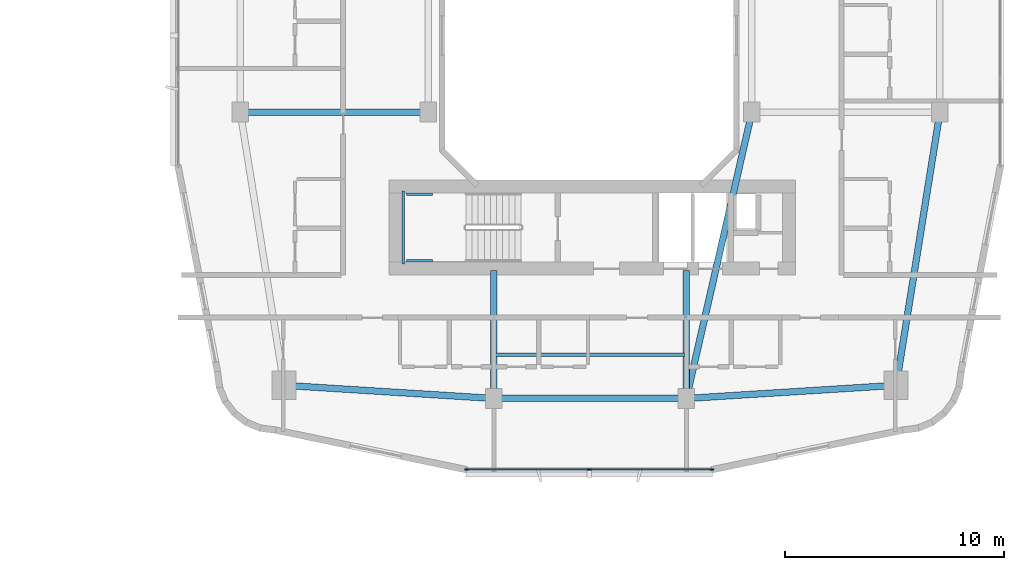
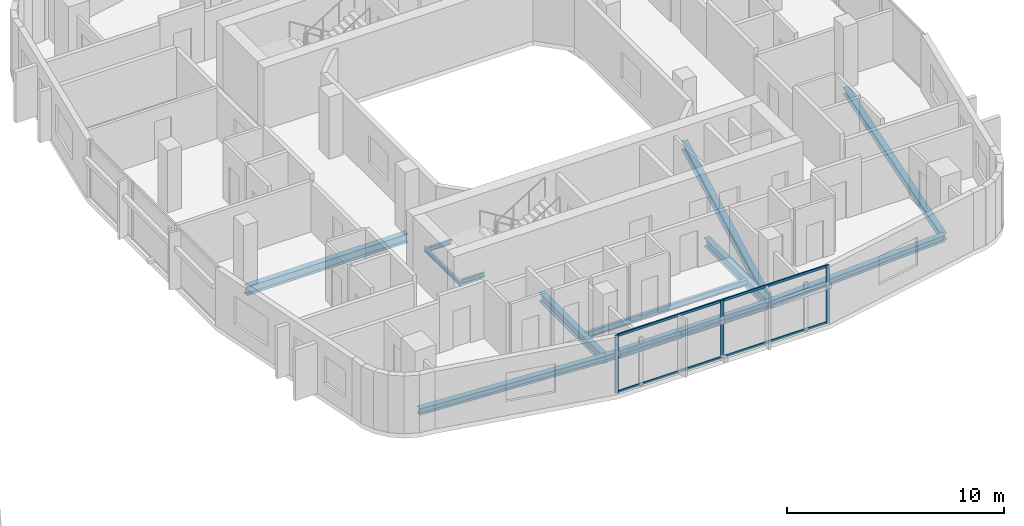
# One storey, part 8 of 27: 12 beams, 7 members, 1 element without a shape of its own.
"""IFC4 building model written with IfcOpenShell, lengths in metres."""

from ifc_helpers import new_model, si_unit, derived_unit, direction, frame, origin, origin_2d, place, context, subcontext, project, spatial, rectangle, i_section, extrude, material, layer, layer_set, material_profile, profile_set, type_object, element, aggregate, save


model = new_model("IFC4")

# Units and contexts
model_context = context("Model", 3, precision=1e-05, world=origin(), true_north=direction((0.0, 1.0)))
body_context = subcontext(model_context, "Body", "Model", "MODEL_VIEW")
ifc_project = project(units=[si_unit("LENGTHUNIT", "METRE"), si_unit("AREAUNIT", "SQUARE_METRE"), si_unit("VOLUMEUNIT", "CUBIC_METRE"), si_unit("PLANEANGLEUNIT", "RADIAN"), si_unit("MASSUNIT", "GRAM", prefix="KILO"), derived_unit("THERMALTRANSMITTANCEUNIT", [(si_unit("POWERUNIT", "WATT"), 1), (si_unit("LENGTHUNIT", "METRE"), -2), (si_unit("THERMODYNAMICTEMPERATUREUNIT", "KELVIN"), -1)])], contexts=[model_context])

# Site, building, storey
site_placement = place(None, origin())
site = spatial("IfcSite", under=ifc_project, at=site_placement, CompositionType="ELEMENT")
building_placement = place(site_placement, origin())
building = spatial("IfcBuilding", under=site, at=building_placement, Name="Kivonza Crest Hotel", CompositionType="ELEMENT")
storey_placement = place(building_placement, frame((0.0, 0.0, 41.5)))
storey = spatial("IfcBuildingStorey", under=building, at=storey_placement, Name="L10", CompositionType="ELEMENT", Elevation=41.5)

# Beams
ifc_material_1 = material(Name="Steel S355", Category="steel")
ifc_material_profile_1 = material_profile(ifc_material_1, i_section(OverallWidth=0.300048828125, OverallDepth=0.360107421875, WebThickness=0.012451171875, FlangeThickness=0.0224609375, FilletRadius=0.027099609375, at=origin_2d()), Name="HEB 360")
ifc_profile_set_1 = profile_set([ifc_material_profile_1], Name="Steel S355")
beam_type_1 = type_object("IfcBeamType", Name="BM-HEB360", PredefinedType="SPANDREL", material=ifc_profile_set_1)
beam_1_placement = place(storey_placement, frame((72.60009765625, 8.39990234375, -0.429931640625), z_axis=(1.0, 0.0, 0.0), x_axis=(0.0, 1.0, 0.0)))
element("IfcBeam", 1, at=beam_1_placement, inside=storey, type_object=beam_type_1, Name="Companion Tower T2 L10 perimeter spandrel S1-S2", PredefinedType="SPANDREL", context=body_context, shape_type="SweptSolid", body=[
    extrude(i_section(OverallWidth=0.300048828125, OverallDepth=0.360107421875, WebThickness=0.012451171875, FlangeThickness=0.0224609375, FilletRadius=0.027099609375, at=origin_2d()), origin(), (0.0, 0.0, 1.0), 8.7998046875),
])
beam_2_placement = place(storey_placement, frame((81.39990234375, 8.39990234375, -0.429931640625), z_axis=(0.998051985873, 0.062387767186, 0.0), x_axis=(-0.062387767186, 0.998051985873, 0.0)))
element("IfcBeam", 2, at=beam_2_placement, inside=storey, type_object=beam_type_1, Name="Companion Tower T2 L10 perimeter spandrel S2-SE", PredefinedType="SPANDREL", context=body_context, shape_type="SweptSolid", body=[
    extrude(i_section(OverallWidth=0.300048828125, OverallDepth=0.360107421875, WebThickness=0.012451171875, FlangeThickness=0.0224609375, FilletRadius=0.027099609375, at=origin_2d()), origin(), (0.0, 0.0, 1.0), 9.618896484375),
])
beam_3_placement = place(storey_placement, frame((91.0, 9.0, -0.429931640625), z_axis=(0.157990501107, 0.987440631917, 0.0), x_axis=(-0.987440631917, 0.157990501107, 0.0)))
element("IfcBeam", 3, at=beam_3_placement, inside=storey, type_object=beam_type_1, Name="Companion Tower T2 L10 perimeter spandrel SE-E1", PredefinedType="SPANDREL", context=body_context, shape_type="SweptSolid", body=[
    extrude(i_section(OverallWidth=0.300048828125, OverallDepth=0.360107421875, WebThickness=0.012451171875, FlangeThickness=0.0224609375, FilletRadius=0.027099609375, at=origin_2d()), origin(), (0.0, 0.0, 1.0), 12.658935546875),
])
beam_4_placement = place(storey_placement, frame((63.0, 9.0, -0.429931640625), z_axis=(0.998051985873, -0.062387767186, 0.0), x_axis=(0.062387767186, 0.998051985873, 0.0)))
element("IfcBeam", 4, at=beam_4_placement, inside=storey, type_object=beam_type_1, Name="Companion Tower T2 L10 perimeter spandrel SW-S1", PredefinedType="SPANDREL", context=body_context, shape_type="SweptSolid", body=[
    extrude(i_section(OverallWidth=0.300048828125, OverallDepth=0.360107421875, WebThickness=0.012451171875, FlangeThickness=0.0224609375, FilletRadius=0.027099609375, at=origin_2d()), origin(), (0.0, 0.0, 1.0), 9.618896484375),
])
ifc_material_profile_2 = material_profile(ifc_material_1, i_section(OverallWidth=0.300048828125, OverallDepth=0.5, WebThickness=0.014404296875, FlangeThickness=0.028076171875, FilletRadius=0.027099609375, at=origin_2d()), Name="HEB 500")
ifc_profile_set_2 = profile_set([ifc_material_profile_2], Name="Steel S355")
beam_type_2 = type_object("IfcBeamType", Name="BM-HEB500", PredefinedType="BEAM", material=ifc_profile_set_2)
beam_5_placement = place(storey_placement, frame((61.0, 21.5, -0.5), z_axis=(1.0, 0.0, 0.0), x_axis=(0.0, 1.0, 0.0)))
element("IfcBeam", 5, at=beam_5_placement, inside=storey, type_object=beam_type_2, Name="Companion Tower T2 L10 girder W1-WL1", PredefinedType="BEAM", context=body_context, shape_type="SweptSolid", body=[
    extrude(i_section(OverallWidth=0.300048828125, OverallDepth=0.5, WebThickness=0.014404296875, FlangeThickness=0.028076171875, FilletRadius=0.027099609375, at=origin_2d()), origin(), (0.0, 0.0, 1.0), 8.60009765625),
])
beam_6_placement = place(storey_placement, frame((84.39990234375, 21.5, -0.5), z_axis=(-0.223227287589, -0.974766422317, 0.0), x_axis=(0.974766422317, -0.223227287589, 0.0)))
element("IfcBeam", 6, at=beam_6_placement, inside=storey, type_object=beam_type_2, Name="Companion Tower T2 L10 girder WR1-S2", PredefinedType="BEAM", context=body_context, shape_type="SweptSolid", body=[
    extrude(i_section(OverallWidth=0.300048828125, OverallDepth=0.5, WebThickness=0.014404296875, FlangeThickness=0.028076171875, FilletRadius=0.027099609375, at=origin_2d()), origin(), (0.0, 0.0, 1.0), 13.439208984375),
])
for number, where, z_axis, x_axis, name in (
    (7, (72.60009765625, 8.39990234375, -0.5), (0.0, 1.0, 0.0), (-1.0, 0.0, 0.0), "Companion T2 L10 radial core girder RS1"),
    (8, (81.39990234375, 8.39990234375, -0.5), (0.0, 1.0, 0.0), (-1.0, 0.0, 0.0), "Companion T2 L10 radial core girder RS2"),
):
    element("IfcBeam", number, at=place(storey_placement, frame(where, z_axis=z_axis, x_axis=x_axis)), inside=storey, type_object=beam_type_2, Name=name, PredefinedType="BEAM", context=body_context, shape_type="SweptSolid", body=[
        extrude(i_section(OverallWidth=0.300048828125, OverallDepth=0.5, WebThickness=0.014404296875, FlangeThickness=0.028076171875, FilletRadius=0.027099609375, at=origin_2d()), origin(), (0.0, 0.0, 1.0), 5.85009765625),
    ])
ifc_material_profile_3 = material_profile(ifc_material_1, i_section(OverallWidth=0.159912109375, OverallDepth=0.330078125, WebThickness=0.007568359375, FlangeThickness=0.011474609375, FilletRadius=0.01806640625, at=origin_2d()), Name="IPE 330")
ifc_profile_set_3 = profile_set([ifc_material_profile_3], Name="Steel S355")
beam_type_3 = type_object("IfcBeamType", Name="BM-IPE330", PredefinedType="JOIST", material=ifc_profile_set_3)
beam_7_placement = place(storey_placement, frame((72.679931640625, 10.39990234375, -0.4150390625), z_axis=(1.0, 0.0, 0.0), x_axis=(0.0, 1.0, 0.0)))
element("IfcBeam", 9, at=beam_7_placement, inside=storey, type_object=beam_type_3, Name="Companion Tower T2 L10 South floor joist", PredefinedType="JOIST", context=body_context, shape_type="SweptSolid", body=[
    extrude(i_section(OverallWidth=0.159912109375, OverallDepth=0.330078125, WebThickness=0.007568359375, FlangeThickness=0.011474609375, FilletRadius=0.01806640625, at=origin_2d()), origin(), (0.0, 0.0, 1.0), 8.64013671875),
])
ifc_material_profile_4 = material_profile(ifc_material_1, i_section(OverallWidth=0.1201171875, OverallDepth=0.239990234375, WebThickness=0.006103515625, FlangeThickness=0.009765625, FilletRadius=0.014892578125, at=origin_2d()), Name="IPE 240")
ifc_profile_set_4 = profile_set([ifc_material_profile_4], Name="Steel S355")
beam_type_4 = type_object("IfcBeamType", Name="BM-LLDG-240", PredefinedType="BEAM", material=ifc_profile_set_4)
beam_8_placement = place(storey_placement, frame((68.4599609375, 14.5400390625, 1.429931640625), z_axis=(0.0, 1.0, 0.0), x_axis=(-1.0, 0.0, 0.0)))
element("IfcBeam", 10, at=beam_8_placement, inside=storey, type_object=beam_type_4, Name="Stair ST-T2-S L10 West landing corbel", PredefinedType="BEAM", context=body_context, shape_type="SweptSolid", body=[
    extrude(i_section(OverallWidth=0.1201171875, OverallDepth=0.239990234375, WebThickness=0.006103515625, FlangeThickness=0.009765625, FilletRadius=0.014892578125, at=origin_2d()), origin(), (0.0, 0.0, 1.0), 3.35986328125),
])
for number, where, z_axis, x_axis, name in (
    (11, (68.590087890625, 14.699951171875, 1.429931640625), (1.0, 0.0, 0.0), (0.0, 1.0, 0.0), "Stair ST-T2-S L10 South landing corbel"),
    (12, (68.590087890625, 17.739990234375, 1.429931640625), (1.0, 0.0, 0.0), (0.0, 1.0, 0.0), "Stair ST-T2-S L10 North landing corbel"),
):
    element("IfcBeam", number, at=place(storey_placement, frame(where, z_axis=z_axis, x_axis=x_axis)), inside=storey, type_object=beam_type_4, Name=name, PredefinedType="BEAM", context=body_context, shape_type="SweptSolid", body=[
        extrude(i_section(OverallWidth=0.1201171875, OverallDepth=0.239990234375, WebThickness=0.006103515625, FlangeThickness=0.009765625, FilletRadius=0.014892578125, at=origin_2d()), origin(), (0.0, 0.0, 1.0), 1.2099609375),
    ])

# Curtain wall, members
ifc_material_2 = material(Name="Anodised bronze aluminium and low-E double glazing", Category="aluminium")
ifc_layer = layer(ifc_material_2, 0.179931640625)
ifc_layer_set = layer_set([ifc_layer], Name="Anodised bronze aluminium and low-E double glazing")
curtain_wall_type = type_object("IfcCurtainWallType", Name="CW-SYS-4", PredefinedType="NOTDEFINED", material=ifc_layer_set)
curtain_wall_placement = place(storey_placement, origin())
curtain_wall = element("IfcCurtainWall", 13, at=curtain_wall_placement, inside=storey, type_object=curtain_wall_type, Name="L10 unitised curtain wall CW-T2-L10-08", PredefinedType="NOTDEFINED")
ifc_material_3 = material(Name="Anodised bronze aluminium", Category="aluminium")
ifc_material_profile_5 = material_profile(ifc_material_3, rectangle(XDim=0.06494140625, YDim=0.179931640625, at=origin_2d()), Name="CW-M 65x180")
ifc_profile_set_5 = profile_set([ifc_material_profile_5], Name="Anodised bronze aluminium")
member_type_1 = type_object("IfcMemberType", Name="CW-MUL-65x180", PredefinedType="MULLION", material=ifc_profile_set_5)
member_1_placement = place(storey_placement, frame((71.344482421875, 5.159912109375, 0.0), z_axis=(0.0, 0.0, 1.0), x_axis=(0.0, 1.0, 0.0)))
member_1 = element("IfcMember", 14, at=member_1_placement, type_object=member_type_1, Name="CW-4 mullion 1", PredefinedType="MULLION", context=body_context, shape_type="SweptSolid", body=[
    extrude(rectangle(XDim=0.06494140625, YDim=0.179931640625, at=origin_2d()), origin(), (0.0, 0.0, 1.0), 3.25),
])
member_2_placement = place(storey_placement, frame((76.9599609375, 5.159912109375, 0.0), z_axis=(0.0, 0.0, 1.0), x_axis=(0.0, 1.0, 0.0)))
member_2 = element("IfcMember", 15, at=member_2_placement, type_object=member_type_1, Name="CW-4 mullion 2", PredefinedType="MULLION", context=body_context, shape_type="SweptSolid", body=[
    extrude(rectangle(XDim=0.06494140625, YDim=0.179931640625, at=origin_2d()), origin(), (0.0, 0.0, 1.0), 3.25),
])
member_3_placement = place(storey_placement, frame((82.575439453125, 5.159912109375, 0.0), z_axis=(0.0, 0.0, 1.0), x_axis=(0.0, 1.0, 0.0)))
member_3 = element("IfcMember", 16, at=member_3_placement, type_object=member_type_1, Name="CW-4 mullion 3", PredefinedType="MULLION", context=body_context, shape_type="SweptSolid", body=[
    extrude(rectangle(XDim=0.06494140625, YDim=0.179931640625, at=origin_2d()), origin(), (0.0, 0.0, 1.0), 3.25),
])
ifc_material_profile_6 = material_profile(ifc_material_3, rectangle(XDim=0.06494140625, YDim=0.139892578125, at=origin_2d()), Name="CW-T 65x140")
ifc_profile_set_6 = profile_set([ifc_material_profile_6], Name="Anodised bronze aluminium")
member_type_2 = type_object("IfcMemberType", Name="CW-TRN-65x140", PredefinedType="USERDEFINED", material=ifc_profile_set_6)
member_4_placement = place(storey_placement, frame((71.376953125, 5.159912109375, 0.032470703125), z_axis=(1.0, 0.0, 0.0), x_axis=(0.0, 1.0, 0.0)))
member_4 = element("IfcMember", 17, at=member_4_placement, type_object=member_type_2, Name="CW-4 transom 1.1", ObjectType="TRANSOM", PredefinedType="USERDEFINED", context=body_context, shape_type="SweptSolid", body=[
    extrude(rectangle(XDim=0.06494140625, YDim=0.139892578125, at=origin_2d()), origin(), (0.0, 0.0, 1.0), 5.550537109375),
])
member_5_placement = place(storey_placement, frame((71.376953125, 5.159912109375, 3.217529296875), z_axis=(1.0, 0.0, 0.0), x_axis=(0.0, 1.0, 0.0)))
member_5 = element("IfcMember", 18, at=member_5_placement, type_object=member_type_2, Name="CW-4 transom 1.2", ObjectType="TRANSOM", PredefinedType="USERDEFINED", context=body_context, shape_type="SweptSolid", body=[
    extrude(rectangle(XDim=0.06494140625, YDim=0.139892578125, at=origin_2d()), origin(), (0.0, 0.0, 1.0), 5.550537109375),
])
member_6_placement = place(storey_placement, frame((76.992431640625, 5.159912109375, 0.032470703125), z_axis=(1.0, 0.0, 0.0), x_axis=(0.0, 1.0, 0.0)))
member_6 = element("IfcMember", 19, at=member_6_placement, type_object=member_type_2, Name="CW-4 transom 2.1", ObjectType="TRANSOM", PredefinedType="USERDEFINED", context=body_context, shape_type="SweptSolid", body=[
    extrude(rectangle(XDim=0.06494140625, YDim=0.139892578125, at=origin_2d()), origin(), (0.0, 0.0, 1.0), 5.550537109375),
])
member_7_placement = place(storey_placement, frame((76.992431640625, 5.159912109375, 3.217529296875), z_axis=(1.0, 0.0, 0.0), x_axis=(0.0, 1.0, 0.0)))
member_7 = element("IfcMember", 20, at=member_7_placement, type_object=member_type_2, Name="CW-4 transom 2.2", ObjectType="TRANSOM", PredefinedType="USERDEFINED", context=body_context, shape_type="SweptSolid", body=[
    extrude(rectangle(XDim=0.06494140625, YDim=0.139892578125, at=origin_2d()), origin(), (0.0, 0.0, 1.0), 5.550537109375),
])
aggregate(curtain_wall, [member_1, member_2, member_3, member_4, member_5, member_6, member_7])

save(model, "model.ifc")
